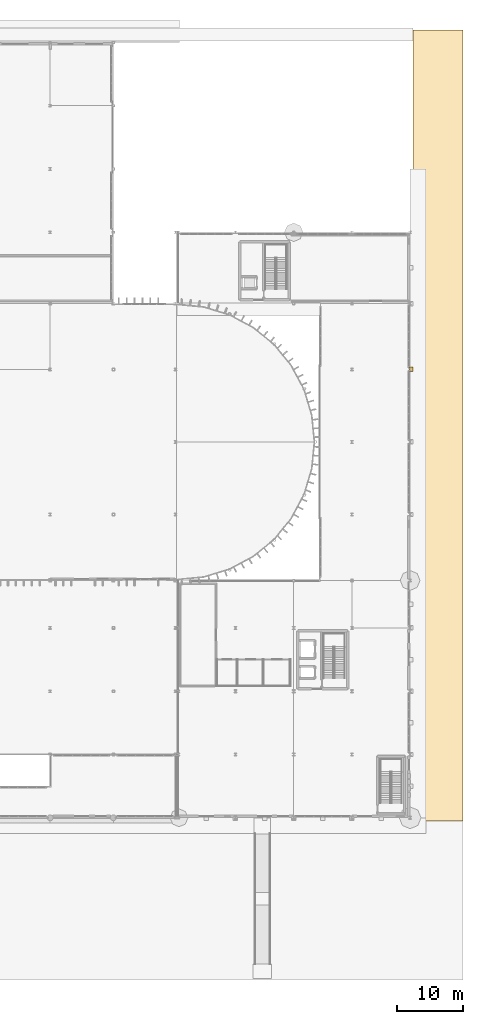
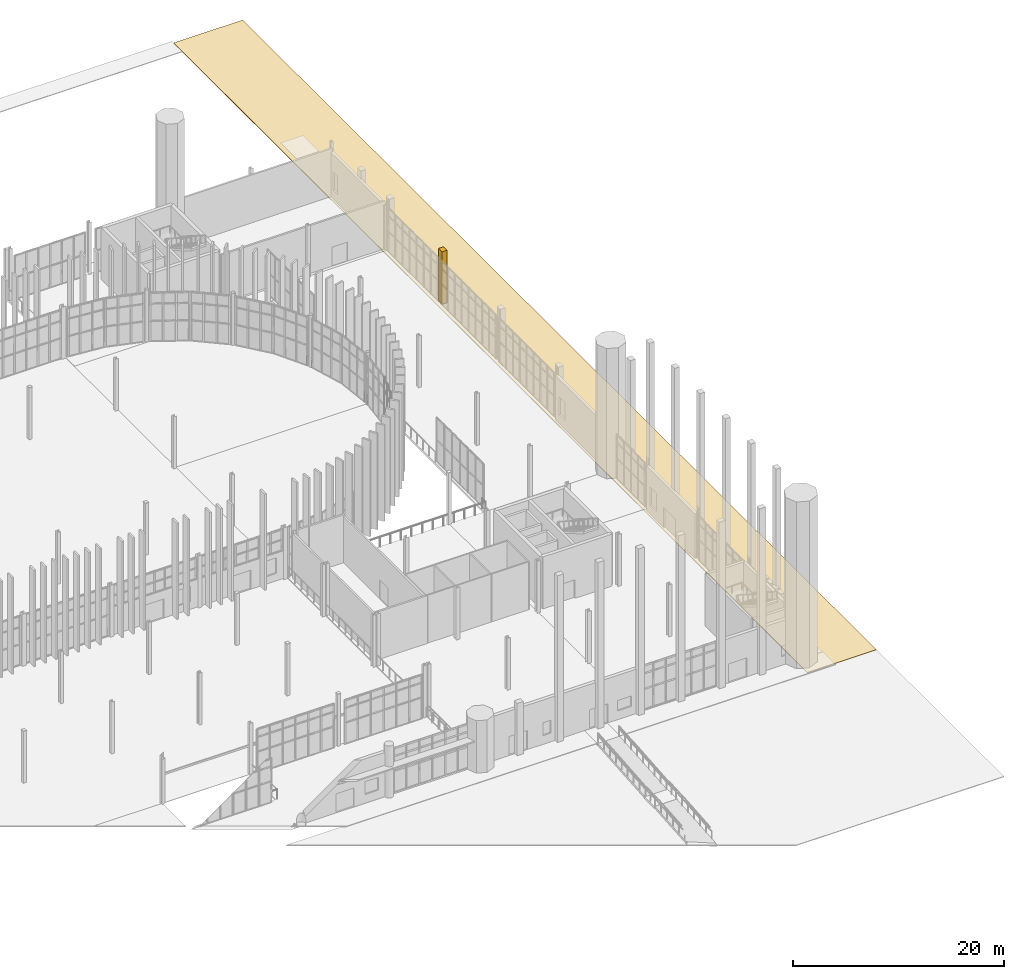
# One storey, part 133 of 139: 2 coverings.
"""IFC4 building model written with IfcOpenShell, lengths in metres."""

from ifc_helpers import new_model, si_unit, direction, frame, origin, place, context, subcontext, project, spatial, polyline, outline, extrude, material, layer, layer_set, type_object, element, save


model = new_model("IFC4")

# Units and contexts
model_context = context("Model", 3, precision=1e-05, world=origin(), true_north=direction((0.0, 1.0)))
body_context = subcontext(model_context, "Body", "Model", "MODEL_VIEW")
ifc_project = project(units=[si_unit("LENGTHUNIT", "METRE"), si_unit("AREAUNIT", "SQUARE_METRE"), si_unit("VOLUMEUNIT", "CUBIC_METRE"), si_unit("PLANEANGLEUNIT", "RADIAN"), si_unit("MASSUNIT", "GRAM", prefix="KILO")], contexts=[model_context])

# Site, building, storey
site_placement = place(None, origin())
site = spatial("IfcSite", under=ifc_project, at=site_placement, CompositionType="ELEMENT")
building_placement = place(site_placement, origin())
building = spatial("IfcBuilding", under=site, at=building_placement, Name="Yeouljin Market Hall", CompositionType="ELEMENT")
storey_placement = place(building_placement, origin())
storey = spatial("IfcBuildingStorey", under=building, at=storey_placement, Name="L00", CompositionType="ELEMENT", Elevation=0.0)

# Coverings
ifc_material_1 = material(Name="Pocheon Granite Stone", Category="masonry")
ifc_layer_1 = layer(ifc_material_1, 0.080078125)
ifc_layer_set_1 = layer_set([ifc_layer_1], Name="Pocheon Granite Stone")
covering_type_1 = type_object("IfcCoveringType", Name="Covering_Boulevard_PlazaPaving", PredefinedType="USERDEFINED", material=ifc_layer_set_1)
covering_1_placement = place(storey_placement, frame((0.0, 0.0, -1.52001953125)))
element("IfcCovering", 1, at=covering_1_placement, inside=storey, type_object=covering_type_1, Name="Yeouljin Boulevard street-grade granite paving BLVD-PAV-EAST", ObjectType="PAVING", PredefinedType="USERDEFINED", context=body_context, shape_type="SweptSolid", body=[
    extrude(outline(polyline([(176.85009765625, -0.449951171875), (184.39990234375, -0.449951171875), (184.39990234375, 119.5), (176.85009765625, 119.5), (176.85009765625, -0.449951171875)])), origin(), (0.0, 0.0, 1.0), 0.080078125),
])
ifc_material_2 = material(Name="Clinker Brick Masonry F2-S2", Category="masonry")
ifc_layer_2 = layer(ifc_material_2, 0.5400390625)
ifc_layer_set_2 = layer_set([ifc_layer_2], Name="Clinker Brick Masonry F2-S2")
covering_type_2 = type_object("IfcCoveringType", Name="Covering_Clinker_PleatedPier", PredefinedType="CLADDING", material=ifc_layer_set_2)
covering_2_placement = place(storey_placement, origin())
element("IfcCovering", 2, at=covering_2_placement, inside=storey, type_object=covering_type_2, Name="Pleated clinker-brick east facade pier E-031", PredefinedType="CLADDING", context=body_context, shape_type="SweptSolid", body=[
    extrude(outline(polyline([(176.280029296875, 67.659912109375), (176.820068359375, 67.659912109375), (176.820068359375, 68.340087890625), (176.280029296875, 68.340087890625), (176.280029296875, 67.659912109375)])), origin(), (0.0, 0.0, 1.0), 6.050048828125),
])

save(model, "model.ifc")
